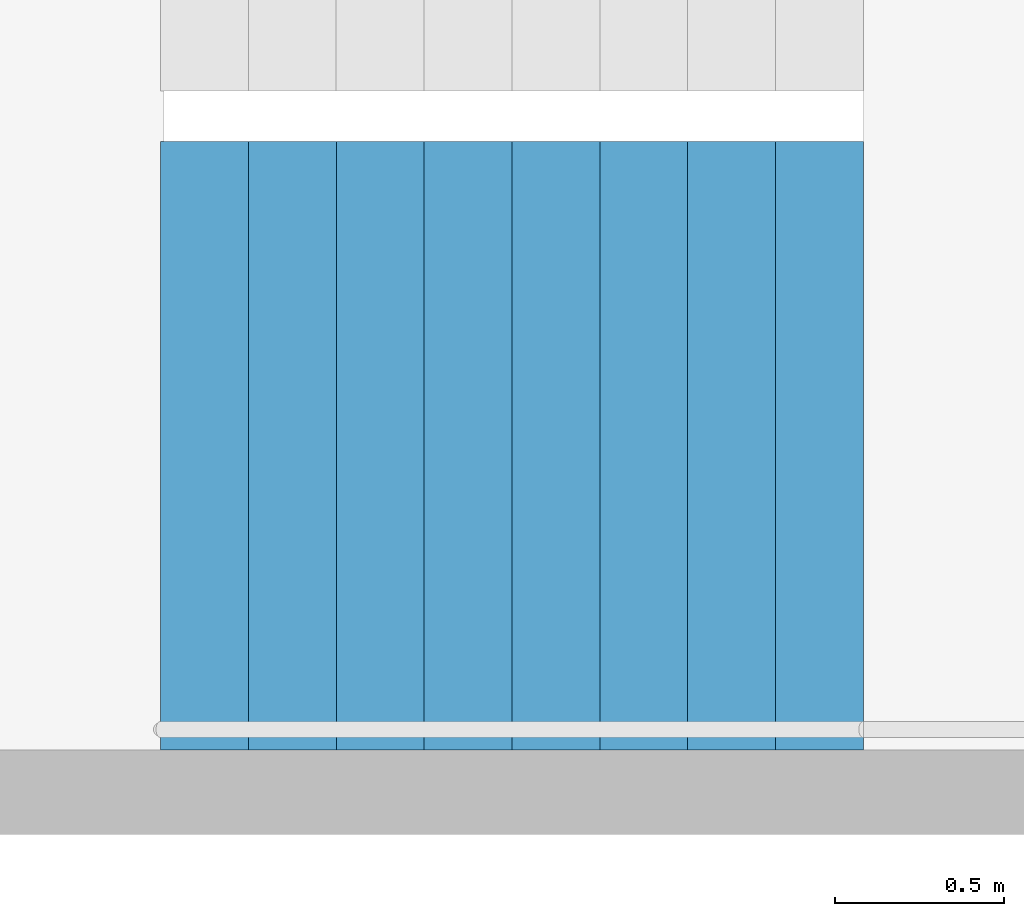
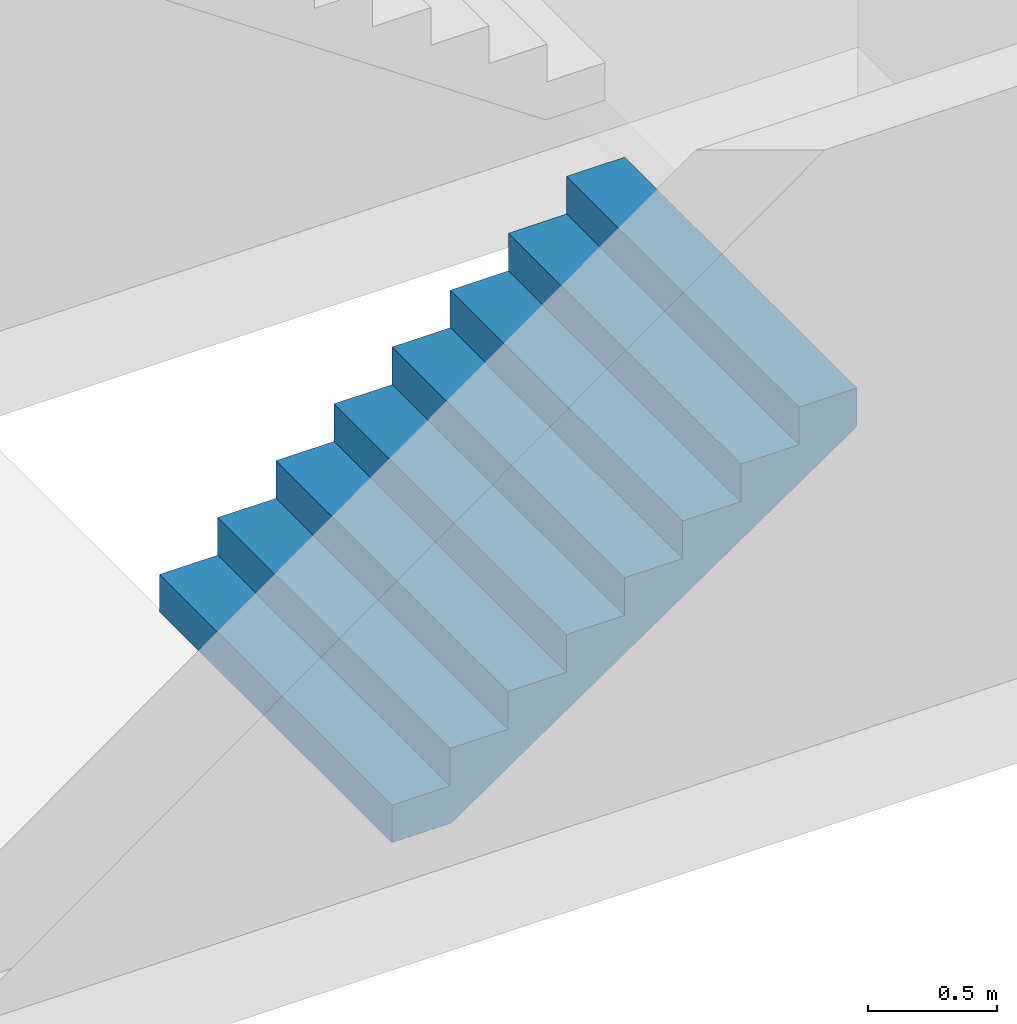
# One storey, part 23 of 29: 1 stair flight, 1 element without a shape of its own.
"""IFC4 building model written with IfcOpenShell, lengths in metres."""

import ifcopenshell
import ifcopenshell.guid

model = None  # the IFC model being written
_history = None  # IfcOwnerHistory: only IFC2X3 demands one
_inside = {}  # id of a spatial element -> (the spatial element, [elements in it])
_under = {}  # id of a project, library or spatial element -> (it, [spatial elements below it])
_declared = {}  # id of a project -> (the project, [libraries it declares])
_typed = {}  # id of a type object -> (the type object, [elements of that type])
_made_of = {}  # id of a material, layer set ... -> (it, [elements and type objects made of it])


def new_model(schema):
    """Start an empty IFC model of exactly this schema.

    Asked for "IFC4X3", IfcOpenShell would pick the latest addendum, in which some entities
    have other attributes; the version numbers below select the first issue.
    IFC2X3 requires an IfcOwnerHistory on every rooted entity: one is made here for all.
    """
    global model, _history
    if schema == "IFC4X3":
        model = ifcopenshell.file(schema_version=(4, 3, 0, 0))
    else:
        model = ifcopenshell.file(schema=schema)
    _inside.clear()
    _under.clear()
    _declared.clear()
    _typed.clear()
    _made_of.clear()
    _history = None
    if model.schema == "IFC2X3":
        org = make("IfcOrganization", Name="unknown")
        user = make(
            "IfcPersonAndOrganization",
            ThePerson=make("IfcPerson", FamilyName="unknown"),
            TheOrganization=org,
        )
        app = make(
            "IfcApplication",
            ApplicationDeveloper=org,
            Version="unknown",
            ApplicationFullName="unknown",
            ApplicationIdentifier="unknown",
        )
        _history = make(
            "IfcOwnerHistory",
            OwningUser=user,
            OwningApplication=app,
            ChangeAction="ADDED",
            CreationDate=0,
        )
    return model


def make(cls, **values):
    """One entity of the class cls with the attributes given. An attribute that is None is left unset."""
    return model.create_entity(
        cls, **{name: value for name, value in values.items() if value is not None}
    )


def rooted(cls, **values):
    """An entity with a GlobalId (a new one), such as an element, a storey or a relation."""
    return make(cls, GlobalId=ifcopenshell.guid.new(), OwnerHistory=_history, **values)


def si_unit(unit_type, name, prefix=None):
    """IfcSIUnit, for example si_unit("LENGTHUNIT", "METRE", prefix="MILLI")."""
    return make("IfcSIUnit", UnitType=unit_type, Prefix=prefix, Name=name)


def assignment(units):
    """IfcUnitAssignment: the units of a project."""
    return None if units is None else make("IfcUnitAssignment", Units=units)


def point(xyz):
    """IfcCartesianPoint."""
    return None if xyz is None else make("IfcCartesianPoint", Coordinates=xyz)


def direction(xyz):
    """IfcDirection."""
    return None if xyz is None else make("IfcDirection", DirectionRatios=xyz)


def frame(location, z_axis=None, x_axis=None):
    """IfcAxis2Placement3D, a coordinate frame: its origin and axes. An axis left out is left unset."""
    return make(
        "IfcAxis2Placement3D",
        Location=point(location),
        Axis=direction(z_axis),
        RefDirection=direction(x_axis),
    )


def origin():
    """The frame at (0, 0, 0) with its axes left unset."""
    return frame((0.0, 0.0, 0.0))


def place(relative_to, where):
    """IfcLocalPlacement: puts the frame where relative to a parent placement (None: the world)."""
    return make(
        "IfcLocalPlacement", PlacementRelTo=relative_to, RelativePlacement=where
    )


def context(
    kind, dimensions, precision=None, world=None, true_north=None, identifier=None
):
    """IfcGeometricRepresentationContext, for example the 3D "Model" context."""
    return make(
        "IfcGeometricRepresentationContext",
        ContextIdentifier=identifier,
        ContextType=kind,
        CoordinateSpaceDimension=dimensions,
        Precision=precision,
        WorldCoordinateSystem=world,
        TrueNorth=true_north,
    )


def subcontext(parent, identifier, kind, view, scale=None):
    """IfcGeometricRepresentationSubContext, for example "Body" below "Model"."""
    return make(
        "IfcGeometricRepresentationSubContext",
        ContextIdentifier=identifier,
        ContextType=kind,
        ParentContext=parent,
        TargetScale=scale,
        TargetView=view,
    )


def project(units=None, contexts=None):
    """IfcProject with its units and contexts."""
    return rooted(
        "IfcProject",
        Name="project",
        RepresentationContexts=contexts,
        UnitsInContext=assignment(units),
    )


def spatial(cls, under=None, at=None, **own):
    """A site, building, storey or space (cls), placed at a placement, below another one or the project."""
    s = rooted(cls, ObjectPlacement=at, **own)
    if under is not None:
        _under.setdefault(under.id(), (under, []))[1].append(s)
    return s


def point_list(points):
    """IfcCartesianPointList2D or 3D."""
    cls = (
        "IfcCartesianPointList2D" if len(points[0]) == 2 else "IfcCartesianPointList3D"
    )
    return make(cls, CoordList=points)


def triangles(points, corners, closed=None, point_numbers=None):
    """IfcTriangulatedFaceSet: each triangle names its three corners, points numbered from 1."""
    return make(
        "IfcTriangulatedFaceSet",
        Coordinates=point_list(points),
        Closed=closed,
        CoordIndex=corners,
        PnIndex=point_numbers,
    )


def shape(context_of_items, identifier, shape_type, items):
    """IfcShapeRepresentation: the items that make up one representation, for example the "Body"."""
    return make(
        "IfcShapeRepresentation",
        ContextOfItems=context_of_items,
        RepresentationIdentifier=identifier,
        RepresentationType=shape_type,
        Items=items,
    )


def material(Name=None, Category=None):
    """IfcMaterial."""
    return make("IfcMaterial", Name=Name, Category=Category)


def made_of(thing, what):
    """Note that an element or type object is made of a material, layer set ...; save() writes the relation."""
    if what is not None:
        _made_of.setdefault(what.id(), (what, []))[1].append(thing)
    return thing


def type_object(cls, material=None, **own):
    """A type object (cls), such as IfcWallType, which elements share."""
    return made_of(rooted(cls, **own), material)


def element(
    cls,
    number,
    at=None,
    inside=None,
    cuts=None,
    type_object=None,
    material=None,
    context=None,
    identifier="Body",
    shape_type=None,
    held_by="IfcProductDefinitionShape",
    body=None,
    shapes=None,
    **own,
):
    """One element of the class cls, such as IfcWall. Its Tag is "e" and its number.

    at: its placement. inside: the storey or other place that contains it. cuts: it is an
    opening in that element (IfcRelVoidsElement). A single representation is given by context,
    identifier, shape_type and body (its items); several are given by shapes. held_by: the class
    of the entity that holds the representations. save() writes the other relations.
    """
    e = rooted(cls, Tag="e%d" % number, ObjectPlacement=at, **own)
    if body is not None:
        shapes = [shape(context, identifier, shape_type, body)]
    if shapes is not None:
        e.Representation = make(held_by, Representations=shapes)
    if inside is not None:
        _inside.setdefault(inside.id(), (inside, []))[1].append(e)
    if cuts is not None:
        rooted(
            "IfcRelVoidsElement", RelatingBuildingElement=cuts, RelatedOpeningElement=e
        )
    if type_object is not None:
        _typed.setdefault(type_object.id(), (type_object, []))[1].append(e)
    return made_of(e, material)


def aggregate(whole, parts):
    """IfcRelAggregates: a whole, such as a stair, and the parts it consists of."""
    return rooted("IfcRelAggregates", RelatingObject=whole, RelatedObjects=parts)


def save(model, path):
    """Write the relations noted so far, then the file.

    IfcRelAggregates (storeys below a building ...), IfcRelContainedInSpatialStructure (elements
    in a storey), IfcRelDefinesByType, IfcRelAssociatesMaterial and IfcRelDeclares: one each for
    every whole, place, type object, material and project.
    """
    for whole, parts in _under.values():
        aggregate(whole, parts)
    for where, things in _inside.values():
        rooted(
            "IfcRelContainedInSpatialStructure",
            RelatedElements=things,
            RelatingStructure=where,
        )
    for kind, things in _typed.values():
        rooted("IfcRelDefinesByType", RelatedObjects=things, RelatingType=kind)
    for what, things in _made_of.values():
        rooted("IfcRelAssociatesMaterial", RelatedObjects=things, RelatingMaterial=what)
    for by, libraries in _declared.values():
        rooted("IfcRelDeclares", RelatingContext=by, RelatedDefinitions=libraries)
    model.write(path)


model = new_model("IFC4")

# Units and contexts
model_context = context("Model", 3, precision=1e-05, world=origin(), true_north=direction((0.0, 1.0)))
body_context = subcontext(model_context, "Body", "Model", "MODEL_VIEW")
ifc_project = project(units=[si_unit("LENGTHUNIT", "METRE"), si_unit("AREAUNIT", "SQUARE_METRE"), si_unit("VOLUMEUNIT", "CUBIC_METRE"), si_unit("PLANEANGLEUNIT", "RADIAN"), si_unit("MASSUNIT", "GRAM", prefix="KILO")], contexts=[model_context])

# Site, building, storey
site_placement = place(None, origin())
site = spatial("IfcSite", under=ifc_project, at=site_placement, CompositionType="ELEMENT")
building_placement = place(site_placement, origin())
building = spatial("IfcBuilding", under=site, at=building_placement, Name="Hakoniwa Tower and Hamabe Station Hall", CompositionType="ELEMENT")
storey_placement = place(building_placement, frame((0.0, 0.0, 104.199951171875)))
storey = spatial("IfcBuildingStorey", under=building, at=storey_placement, Name="L29", CompositionType="ELEMENT", Elevation=104.199951171875)

# Stair, stair flight
ifc_material_1 = material(Name="Concrete C40", Category="concrete")
stair_type = type_object("IfcStairType", Name="ESCAPE STAIR 1800", PredefinedType="HALF_TURN_STAIR", material=ifc_material_1)
stair_placement = place(storey_placement, origin())
stair = element("IfcStair", 1, at=stair_placement, inside=storey, type_object=stair_type, Name="Escape stair ST-1 L29", PredefinedType="HALF_TURN_STAIR")
ifc_material_2 = material(Name="Concrete C40", Category="concrete")
stair_flight_type = type_object("IfcStairFlightType", Name="STAIR FLIGHT 1800", PredefinedType="STRAIGHT", material=ifc_material_2)
stair_flight_placement = place(storey_placement, frame((-24.39990234375, 4.64990234375, 0.0), z_axis=(0.0, 0.0, 1.0), x_axis=(1.0, 0.0, 0.0)))
stair_flight = element("IfcStairFlight", 2, at=stair_flight_placement, type_object=stair_flight_type, Name="ST-1 flight 1", NumberOfRisers=9, NumberOfTreads=8, PredefinedType="STRAIGHT", RiserHeight=0.177777778, TreadLength=0.26, context=body_context, shape_type="Tessellation", body=[
    triangles([(0.0, 0.89990234375, 0.0), (0.260009765625, 0.89990234375, 0.0), (0.265625, 0.89990234375, 0.0), (0.52001953125, 0.89990234375, 0.174072265625), (0.780029296875, 0.89990234375, 0.351806640625), (1.0400390625, 0.89990234375, 0.529541015625), (1.300048828125, 0.89990234375, 0.707275390625), (1.56005859375, 0.89990234375, 0.885009765625), (1.820068359375, 0.89990234375, 1.062744140625), (2.080078125, 0.89990234375, 1.24072265625), (2.080078125, 0.89990234375, 1.422119140625), (1.820068359375, 0.89990234375, 1.422119140625), (1.820068359375, 0.89990234375, 1.244384765625), (1.56005859375, 0.89990234375, 1.244384765625), (1.56005859375, 0.89990234375, 1.066650390625), (1.300048828125, 0.89990234375, 1.066650390625), (1.300048828125, 0.89990234375, 0.888916015625), (1.0400390625, 0.89990234375, 0.888916015625), (1.0400390625, 0.89990234375, 0.711181640625), (0.780029296875, 0.89990234375, 0.711181640625), (0.780029296875, 0.89990234375, 0.533447265625), (0.52001953125, 0.89990234375, 0.533447265625), (0.52001953125, 0.89990234375, 0.35546875), (0.265625, 0.89990234375, 0.35546875), (0.260009765625, 0.89990234375, 0.35546875), (0.260009765625, 0.89990234375, 0.177734375), (0.0, 0.89990234375, 0.177734375), (0.0, 0.06005859375, 0.0), (0.260009765625, 0.06005859375, 0.0), (0.265625, 0.06005859375, 0.0), (0.52001953125, 0.06005859375, 0.174072265625), (0.780029296875, 0.06005859375, 0.351806640625), (1.0400390625, 0.06005859375, 0.529541015625), (1.300048828125, 0.06005859375, 0.707275390625), (1.56005859375, 0.06005859375, 0.885009765625), (1.820068359375, 0.06005859375, 1.062744140625), (2.080078125, 0.06005859375, 1.24072265625), (2.080078125, 0.06005859375, 1.422119140625), (1.820068359375, 0.06005859375, 1.422119140625), (1.820068359375, 0.06005859375, 1.244384765625), (1.56005859375, 0.06005859375, 1.244384765625), (1.56005859375, 0.06005859375, 1.066650390625), (1.300048828125, 0.06005859375, 1.066650390625), (1.300048828125, 0.06005859375, 0.888916015625), (1.0400390625, 0.06005859375, 0.888916015625), (1.0400390625, 0.06005859375, 0.711181640625), (0.780029296875, 0.06005859375, 0.711181640625), (0.780029296875, 0.06005859375, 0.533447265625), (0.52001953125, 0.06005859375, 0.533447265625), (0.52001953125, 0.06005859375, 0.35546875), (0.265625, 0.06005859375, 0.35546875), (0.260009765625, 0.06005859375, 0.35546875), (0.260009765625, 0.06005859375, 0.177734375), (0.0, 0.06005859375, 0.177734375), (0.0, 0.04296875, 0.0), (0.260009765625, 0.04296875, 0.0), (0.265625, 0.04296875, 0.0), (0.52001953125, 0.04296875, 0.174072265625), (0.780029296875, 0.04296875, 0.351806640625), (1.0400390625, 0.04296875, 0.529541015625), (1.300048828125, 0.04296875, 0.707275390625), (1.56005859375, 0.04296875, 0.885009765625), (1.820068359375, 0.04296875, 1.062744140625), (2.080078125, 0.04296875, 1.24072265625), (2.080078125, 0.04296875, 1.422119140625), (1.820068359375, 0.04296875, 1.422119140625), (1.820068359375, 0.04296875, 1.244384765625), (1.56005859375, 0.04296875, 1.244384765625), (1.56005859375, 0.04296875, 1.066650390625), (1.300048828125, 0.04296875, 1.066650390625), (1.300048828125, 0.04296875, 0.888916015625), (1.0400390625, 0.04296875, 0.888916015625), (1.0400390625, 0.04296875, 0.711181640625), (0.780029296875, 0.04296875, 0.711181640625), (0.780029296875, 0.04296875, 0.533447265625), (0.52001953125, 0.04296875, 0.533447265625), (0.52001953125, 0.04296875, 0.35546875), (0.265625, 0.04296875, 0.35546875), (0.260009765625, 0.04296875, 0.35546875), (0.260009765625, 0.04296875, 0.177734375), (0.0, 0.04296875, 0.177734375), (0.0, 0.025634765625, 0.0), (0.260009765625, 0.025634765625, 0.0), (0.265625, 0.025634765625, 0.0), (0.52001953125, 0.025634765625, 0.174072265625), (0.780029296875, 0.025634765625, 0.351806640625), (1.0400390625, 0.025634765625, 0.529541015625), (1.300048828125, 0.025634765625, 0.707275390625), (1.56005859375, 0.025634765625, 0.885009765625), (1.820068359375, 0.025634765625, 1.062744140625), (2.080078125, 0.025634765625, 1.24072265625), (2.080078125, 0.025634765625, 1.422119140625), (1.820068359375, 0.025634765625, 1.422119140625), (1.820068359375, 0.025634765625, 1.244384765625), (1.56005859375, 0.025634765625, 1.244384765625), (1.56005859375, 0.025634765625, 1.066650390625), (1.300048828125, 0.025634765625, 1.066650390625), (1.300048828125, 0.025634765625, 0.888916015625), (1.0400390625, 0.025634765625, 0.888916015625), (1.0400390625, 0.025634765625, 0.711181640625), (0.780029296875, 0.025634765625, 0.711181640625), (0.780029296875, 0.025634765625, 0.533447265625), (0.52001953125, 0.025634765625, 0.533447265625), (0.52001953125, 0.025634765625, 0.35546875), (0.265625, 0.025634765625, 0.35546875), (0.260009765625, 0.025634765625, 0.35546875), (0.260009765625, 0.025634765625, 0.177734375), (0.0, 0.025634765625, 0.177734375), (0.0, 0.008544921875, 0.0), (0.260009765625, 0.008544921875, 0.0), (0.265625, 0.008544921875, 0.0), (0.52001953125, 0.008544921875, 0.174072265625), (0.780029296875, 0.008544921875, 0.351806640625), (1.0400390625, 0.008544921875, 0.529541015625), (1.300048828125, 0.008544921875, 0.707275390625), (1.56005859375, 0.008544921875, 0.885009765625), (1.820068359375, 0.008544921875, 1.062744140625), (2.080078125, 0.008544921875, 1.24072265625), (2.080078125, 0.008544921875, 1.422119140625), (1.820068359375, 0.008544921875, 1.422119140625), (1.820068359375, 0.008544921875, 1.244384765625), (1.56005859375, 0.008544921875, 1.244384765625), (1.56005859375, 0.008544921875, 1.066650390625), (1.300048828125, 0.008544921875, 1.066650390625), (1.300048828125, 0.008544921875, 0.888916015625), (1.0400390625, 0.008544921875, 0.888916015625), (1.0400390625, 0.008544921875, 0.711181640625), (0.780029296875, 0.008544921875, 0.711181640625), (0.780029296875, 0.008544921875, 0.533447265625), (0.52001953125, 0.008544921875, 0.533447265625), (0.52001953125, 0.008544921875, 0.35546875), (0.265625, 0.008544921875, 0.35546875), (0.260009765625, 0.008544921875, 0.35546875), (0.260009765625, 0.008544921875, 0.177734375), (0.0, 0.008544921875, 0.177734375), (0.0, -0.008544921875, 0.0), (0.260009765625, -0.008544921875, 0.0), (0.265625, -0.008544921875, 0.0), (0.52001953125, -0.008544921875, 0.174072265625), (0.780029296875, -0.008544921875, 0.351806640625), (1.0400390625, -0.008544921875, 0.529541015625), (1.300048828125, -0.008544921875, 0.707275390625), (1.56005859375, -0.008544921875, 0.885009765625), (1.820068359375, -0.008544921875, 1.062744140625), (2.080078125, -0.008544921875, 1.24072265625), (2.080078125, -0.008544921875, 1.422119140625), (1.820068359375, -0.008544921875, 1.422119140625), (1.820068359375, -0.008544921875, 1.244384765625), (1.56005859375, -0.008544921875, 1.244384765625), (1.56005859375, -0.008544921875, 1.066650390625), (1.300048828125, -0.008544921875, 1.066650390625), (1.300048828125, -0.008544921875, 0.888916015625), (1.0400390625, -0.008544921875, 0.888916015625), (1.0400390625, -0.008544921875, 0.711181640625), (0.780029296875, -0.008544921875, 0.711181640625), (0.780029296875, -0.008544921875, 0.533447265625), (0.52001953125, -0.008544921875, 0.533447265625), (0.52001953125, -0.008544921875, 0.35546875), (0.265625, -0.008544921875, 0.35546875), (0.260009765625, -0.008544921875, 0.35546875), (0.260009765625, -0.008544921875, 0.177734375), (0.0, -0.008544921875, 0.177734375), (0.0, -0.025634765625, 0.0), (0.260009765625, -0.025634765625, 0.0), (0.265625, -0.025634765625, 0.0), (0.52001953125, -0.025634765625, 0.174072265625), (0.780029296875, -0.025634765625, 0.351806640625), (1.0400390625, -0.025634765625, 0.529541015625), (1.300048828125, -0.025634765625, 0.707275390625), (1.56005859375, -0.025634765625, 0.885009765625), (1.820068359375, -0.025634765625, 1.062744140625), (2.080078125, -0.025634765625, 1.24072265625), (2.080078125, -0.025634765625, 1.422119140625), (1.820068359375, -0.025634765625, 1.422119140625), (1.820068359375, -0.025634765625, 1.244384765625), (1.56005859375, -0.025634765625, 1.244384765625), (1.56005859375, -0.025634765625, 1.066650390625), (1.300048828125, -0.025634765625, 1.066650390625), (1.300048828125, -0.025634765625, 0.888916015625), (1.0400390625, -0.025634765625, 0.888916015625), (1.0400390625, -0.025634765625, 0.711181640625), (0.780029296875, -0.025634765625, 0.711181640625), (0.780029296875, -0.025634765625, 0.533447265625), (0.52001953125, -0.025634765625, 0.533447265625), (0.52001953125, -0.025634765625, 0.35546875), (0.265625, -0.025634765625, 0.35546875), (0.260009765625, -0.025634765625, 0.35546875), (0.260009765625, -0.025634765625, 0.177734375), (0.0, -0.025634765625, 0.177734375), (0.0, -0.04296875, 0.0), (0.260009765625, -0.04296875, 0.0), (0.265625, -0.04296875, 0.0), (0.52001953125, -0.04296875, 0.174072265625), (0.780029296875, -0.04296875, 0.351806640625), (1.0400390625, -0.04296875, 0.529541015625), (1.300048828125, -0.04296875, 0.707275390625), (1.56005859375, -0.04296875, 0.885009765625), (1.820068359375, -0.04296875, 1.062744140625), (2.080078125, -0.04296875, 1.24072265625), (2.080078125, -0.04296875, 1.422119140625), (1.820068359375, -0.04296875, 1.422119140625), (1.820068359375, -0.04296875, 1.244384765625), (1.56005859375, -0.04296875, 1.244384765625), (1.56005859375, -0.04296875, 1.066650390625), (1.300048828125, -0.04296875, 1.066650390625), (1.300048828125, -0.04296875, 0.888916015625), (1.0400390625, -0.04296875, 0.888916015625), (1.0400390625, -0.04296875, 0.711181640625), (0.780029296875, -0.04296875, 0.711181640625), (0.780029296875, -0.04296875, 0.533447265625), (0.52001953125, -0.04296875, 0.533447265625), (0.52001953125, -0.04296875, 0.35546875), (0.265625, -0.04296875, 0.35546875), (0.260009765625, -0.04296875, 0.35546875), (0.260009765625, -0.04296875, 0.177734375), (0.0, -0.04296875, 0.177734375), (0.0, -0.06005859375, 0.0), (0.260009765625, -0.06005859375, 0.0), (0.265625, -0.06005859375, 0.0), (0.52001953125, -0.06005859375, 0.174072265625), (0.780029296875, -0.06005859375, 0.351806640625), (1.0400390625, -0.06005859375, 0.529541015625), (1.300048828125, -0.06005859375, 0.707275390625), (1.56005859375, -0.06005859375, 0.885009765625), (1.820068359375, -0.06005859375, 1.062744140625), (2.080078125, -0.06005859375, 1.24072265625), (2.080078125, -0.06005859375, 1.422119140625), (1.820068359375, -0.06005859375, 1.422119140625), (1.820068359375, -0.06005859375, 1.244384765625), (1.56005859375, -0.06005859375, 1.244384765625), (1.56005859375, -0.06005859375, 1.066650390625), (1.300048828125, -0.06005859375, 1.066650390625), (1.300048828125, -0.06005859375, 0.888916015625), (1.0400390625, -0.06005859375, 0.888916015625), (1.0400390625, -0.06005859375, 0.711181640625), (0.780029296875, -0.06005859375, 0.711181640625), (0.780029296875, -0.06005859375, 0.533447265625), (0.52001953125, -0.06005859375, 0.533447265625), (0.52001953125, -0.06005859375, 0.35546875), (0.265625, -0.06005859375, 0.35546875), (0.260009765625, -0.06005859375, 0.35546875), (0.260009765625, -0.06005859375, 0.177734375), (0.0, -0.06005859375, 0.177734375), (0.0, -0.89990234375, 0.0), (0.260009765625, -0.89990234375, 0.0), (0.265625, -0.89990234375, 0.0), (0.52001953125, -0.89990234375, 0.174072265625), (0.780029296875, -0.89990234375, 0.351806640625), (1.0400390625, -0.89990234375, 0.529541015625), (1.300048828125, -0.89990234375, 0.707275390625), (1.56005859375, -0.89990234375, 0.885009765625), (1.820068359375, -0.89990234375, 1.062744140625), (2.080078125, -0.89990234375, 1.24072265625), (2.080078125, -0.89990234375, 1.422119140625), (1.820068359375, -0.89990234375, 1.422119140625), (1.820068359375, -0.89990234375, 1.244384765625), (1.56005859375, -0.89990234375, 1.244384765625), (1.56005859375, -0.89990234375, 1.066650390625), (1.300048828125, -0.89990234375, 1.066650390625), (1.300048828125, -0.89990234375, 0.888916015625), (1.0400390625, -0.89990234375, 0.888916015625), (1.0400390625, -0.89990234375, 0.711181640625), (0.780029296875, -0.89990234375, 0.711181640625), (0.780029296875, -0.89990234375, 0.533447265625), (0.52001953125, -0.89990234375, 0.533447265625), (0.52001953125, -0.89990234375, 0.35546875), (0.265625, -0.89990234375, 0.35546875), (0.260009765625, -0.89990234375, 0.35546875), (0.260009765625, -0.89990234375, 0.177734375), (0.0, -0.89990234375, 0.177734375)], [[2, 27, 26], [245, 269, 270], [2, 1, 27], [245, 270, 244], [3, 25, 24], [246, 267, 268], [3, 26, 25], [246, 268, 269], [3, 2, 26], [246, 269, 245], [4, 24, 23], [247, 266, 267], [4, 3, 24], [247, 267, 246], [5, 22, 21], [248, 264, 265], [5, 23, 22], [248, 265, 266], [5, 4, 23], [248, 266, 247], [6, 20, 19], [249, 262, 263], [6, 21, 20], [249, 263, 264], [6, 5, 21], [249, 264, 248], [7, 18, 17], [250, 260, 261], [7, 19, 18], [250, 261, 262], [7, 6, 19], [250, 262, 249], [8, 16, 15], [251, 258, 259], [8, 17, 16], [251, 259, 260], [8, 7, 17], [251, 260, 250], [9, 14, 13], [252, 256, 257], [9, 15, 14], [252, 257, 258], [9, 8, 15], [252, 258, 251], [10, 12, 11], [253, 254, 255], [10, 13, 12], [253, 255, 256], [10, 9, 13], [253, 256, 252], [1, 2, 29], [1, 29, 28], [28, 29, 56], [28, 56, 55], [55, 56, 83], [55, 83, 82], [82, 83, 110], [82, 110, 109], [109, 110, 137], [109, 137, 136], [136, 137, 164], [136, 164, 163], [163, 164, 191], [163, 191, 190], [190, 191, 218], [190, 218, 217], [217, 218, 245], [217, 245, 244], [2, 3, 30], [2, 30, 29], [29, 30, 57], [29, 57, 56], [56, 57, 84], [56, 84, 83], [83, 84, 111], [83, 111, 110], [110, 111, 138], [110, 138, 137], [137, 138, 165], [137, 165, 164], [164, 165, 192], [164, 192, 191], [191, 192, 219], [191, 219, 218], [218, 219, 246], [218, 246, 245], [3, 4, 31], [3, 31, 30], [30, 31, 58], [30, 58, 57], [57, 58, 85], [57, 85, 84], [84, 85, 112], [84, 112, 111], [111, 112, 139], [111, 139, 138], [138, 139, 166], [138, 166, 165], [165, 166, 193], [165, 193, 192], [192, 193, 220], [192, 220, 219], [219, 220, 247], [219, 247, 246], [4, 5, 32], [4, 32, 31], [31, 32, 59], [31, 59, 58], [58, 59, 86], [58, 86, 85], [85, 86, 113], [85, 113, 112], [112, 113, 140], [112, 140, 139], [139, 140, 167], [139, 167, 166], [166, 167, 194], [166, 194, 193], [193, 194, 221], [193, 221, 220], [220, 221, 248], [220, 248, 247], [5, 6, 33], [5, 33, 32], [32, 33, 60], [32, 60, 59], [59, 60, 87], [59, 87, 86], [86, 87, 114], [86, 114, 113], [113, 114, 141], [113, 141, 140], [140, 141, 168], [140, 168, 167], [167, 168, 195], [167, 195, 194], [194, 195, 222], [194, 222, 221], [221, 222, 249], [221, 249, 248], [6, 7, 34], [6, 34, 33], [33, 34, 61], [33, 61, 60], [60, 61, 88], [60, 88, 87], [87, 88, 115], [87, 115, 114], [114, 115, 142], [114, 142, 141], [141, 142, 169], [141, 169, 168], [168, 169, 196], [168, 196, 195], [195, 196, 223], [195, 223, 222], [222, 223, 250], [222, 250, 249], [7, 8, 35], [7, 35, 34], [34, 35, 62], [34, 62, 61], [61, 62, 89], [61, 89, 88], [88, 89, 116], [88, 116, 115], [115, 116, 143], [115, 143, 142], [142, 143, 170], [142, 170, 169], [169, 170, 197], [169, 197, 196], [196, 197, 224], [196, 224, 223], [223, 224, 251], [223, 251, 250], [8, 9, 36], [8, 36, 35], [35, 36, 63], [35, 63, 62], [62, 63, 90], [62, 90, 89], [89, 90, 117], [89, 117, 116], [116, 117, 144], [116, 144, 143], [143, 144, 171], [143, 171, 170], [170, 171, 198], [170, 198, 197], [197, 198, 225], [197, 225, 224], [224, 225, 252], [224, 252, 251], [9, 10, 37], [9, 37, 36], [36, 37, 64], [36, 64, 63], [63, 64, 91], [63, 91, 90], [90, 91, 118], [90, 118, 117], [117, 118, 145], [117, 145, 144], [144, 145, 172], [144, 172, 171], [171, 172, 199], [171, 199, 198], [198, 199, 226], [198, 226, 225], [225, 226, 253], [225, 253, 252], [10, 11, 38], [10, 38, 37], [37, 38, 65], [37, 65, 64], [64, 65, 92], [64, 92, 91], [91, 92, 119], [91, 119, 118], [118, 119, 146], [118, 146, 145], [145, 146, 173], [145, 173, 172], [172, 173, 200], [172, 200, 199], [199, 200, 227], [199, 227, 226], [226, 227, 254], [226, 254, 253], [11, 12, 39], [11, 39, 38], [38, 39, 66], [38, 66, 65], [65, 66, 93], [65, 93, 92], [92, 93, 120], [92, 120, 119], [119, 120, 147], [119, 147, 146], [146, 147, 174], [146, 174, 173], [173, 174, 201], [173, 201, 200], [200, 201, 228], [200, 228, 227], [227, 228, 255], [227, 255, 254], [12, 13, 40], [12, 40, 39], [39, 40, 67], [39, 67, 66], [66, 67, 94], [66, 94, 93], [93, 94, 121], [93, 121, 120], [120, 121, 148], [120, 148, 147], [147, 148, 175], [147, 175, 174], [174, 175, 202], [174, 202, 201], [201, 202, 229], [201, 229, 228], [228, 229, 256], [228, 256, 255], [13, 14, 41], [13, 41, 40], [40, 41, 68], [40, 68, 67], [67, 68, 95], [67, 95, 94], [94, 95, 122], [94, 122, 121], [121, 122, 149], [121, 149, 148], [148, 149, 176], [148, 176, 175], [175, 176, 203], [175, 203, 202], [202, 203, 230], [202, 230, 229], [229, 230, 257], [229, 257, 256], [14, 15, 42], [14, 42, 41], [41, 42, 69], [41, 69, 68], [68, 69, 96], [68, 96, 95], [95, 96, 123], [95, 123, 122], [122, 123, 150], [122, 150, 149], [149, 150, 177], [149, 177, 176], [176, 177, 204], [176, 204, 203], [203, 204, 231], [203, 231, 230], [230, 231, 258], [230, 258, 257], [15, 16, 43], [15, 43, 42], [42, 43, 70], [42, 70, 69], [69, 70, 97], [69, 97, 96], [96, 97, 124], [96, 124, 123], [123, 124, 151], [123, 151, 150], [150, 151, 178], [150, 178, 177], [177, 178, 205], [177, 205, 204], [204, 205, 232], [204, 232, 231], [231, 232, 259], [231, 259, 258], [16, 17, 44], [16, 44, 43], [43, 44, 71], [43, 71, 70], [70, 71, 98], [70, 98, 97], [97, 98, 125], [97, 125, 124], [124, 125, 152], [124, 152, 151], [151, 152, 179], [151, 179, 178], [178, 179, 206], [178, 206, 205], [205, 206, 233], [205, 233, 232], [232, 233, 260], [232, 260, 259], [17, 18, 45], [17, 45, 44], [44, 45, 72], [44, 72, 71], [71, 72, 99], [71, 99, 98], [98, 99, 126], [98, 126, 125], [125, 126, 153], [125, 153, 152], [152, 153, 180], [152, 180, 179], [179, 180, 207], [179, 207, 206], [206, 207, 234], [206, 234, 233], [233, 234, 261], [233, 261, 260], [18, 19, 46], [18, 46, 45], [45, 46, 73], [45, 73, 72], [72, 73, 100], [72, 100, 99], [99, 100, 127], [99, 127, 126], [126, 127, 154], [126, 154, 153], [153, 154, 181], [153, 181, 180], [180, 181, 208], [180, 208, 207], [207, 208, 235], [207, 235, 234], [234, 235, 262], [234, 262, 261], [19, 20, 47], [19, 47, 46], [46, 47, 74], [46, 74, 73], [73, 74, 101], [73, 101, 100], [100, 101, 128], [100, 128, 127], [127, 128, 155], [127, 155, 154], [154, 155, 182], [154, 182, 181], [181, 182, 209], [181, 209, 208], [208, 209, 236], [208, 236, 235], [235, 236, 263], [235, 263, 262], [20, 21, 48], [20, 48, 47], [47, 48, 75], [47, 75, 74], [74, 75, 102], [74, 102, 101], [101, 102, 129], [101, 129, 128], [128, 129, 156], [128, 156, 155], [155, 156, 183], [155, 183, 182], [182, 183, 210], [182, 210, 209], [209, 210, 237], [209, 237, 236], [236, 237, 264], [236, 264, 263], [21, 22, 49], [21, 49, 48], [48, 49, 76], [48, 76, 75], [75, 76, 103], [75, 103, 102], [102, 103, 130], [102, 130, 129], [129, 130, 157], [129, 157, 156], [156, 157, 184], [156, 184, 183], [183, 184, 211], [183, 211, 210], [210, 211, 238], [210, 238, 237], [237, 238, 265], [237, 265, 264], [22, 23, 50], [22, 50, 49], [49, 50, 77], [49, 77, 76], [76, 77, 104], [76, 104, 103], [103, 104, 131], [103, 131, 130], [130, 131, 158], [130, 158, 157], [157, 158, 185], [157, 185, 184], [184, 185, 212], [184, 212, 211], [211, 212, 239], [211, 239, 238], [238, 239, 266], [238, 266, 265], [23, 24, 51], [23, 51, 50], [50, 51, 78], [50, 78, 77], [77, 78, 105], [77, 105, 104], [104, 105, 132], [104, 132, 131], [131, 132, 159], [131, 159, 158], [158, 159, 186], [158, 186, 185], [185, 186, 213], [185, 213, 212], [212, 213, 240], [212, 240, 239], [239, 240, 267], [239, 267, 266], [24, 25, 52], [24, 52, 51], [51, 52, 79], [51, 79, 78], [78, 79, 106], [78, 106, 105], [105, 106, 133], [105, 133, 132], [132, 133, 160], [132, 160, 159], [159, 160, 187], [159, 187, 186], [186, 187, 214], [186, 214, 213], [213, 214, 241], [213, 241, 240], [240, 241, 268], [240, 268, 267], [25, 26, 53], [25, 53, 52], [52, 53, 80], [52, 80, 79], [79, 80, 107], [79, 107, 106], [106, 107, 134], [106, 134, 133], [133, 134, 161], [133, 161, 160], [160, 161, 188], [160, 188, 187], [187, 188, 215], [187, 215, 214], [214, 215, 242], [214, 242, 241], [241, 242, 269], [241, 269, 268], [26, 27, 54], [26, 54, 53], [53, 54, 81], [53, 81, 80], [80, 81, 108], [80, 108, 107], [107, 108, 135], [107, 135, 134], [134, 135, 162], [134, 162, 161], [161, 162, 189], [161, 189, 188], [188, 189, 216], [188, 216, 215], [215, 216, 243], [215, 243, 242], [242, 243, 270], [242, 270, 269], [27, 1, 28], [27, 28, 54], [54, 28, 55], [54, 55, 81], [81, 55, 82], [81, 82, 108], [108, 82, 109], [108, 109, 135], [135, 109, 136], [135, 136, 162], [162, 136, 163], [162, 163, 189], [189, 163, 190], [189, 190, 216], [216, 190, 217], [216, 217, 243], [243, 217, 244], [243, 244, 270]], closed=True),
])
aggregate(stair, [stair_flight])

save(model, "model.ifc")
